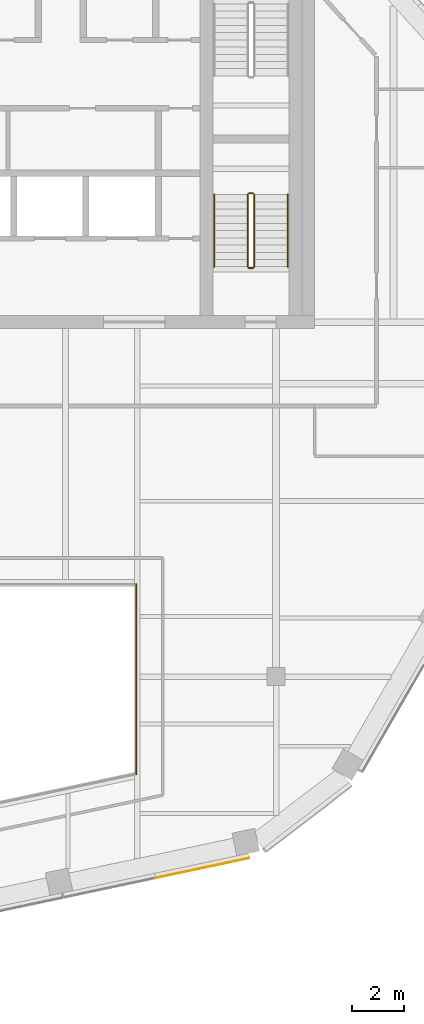
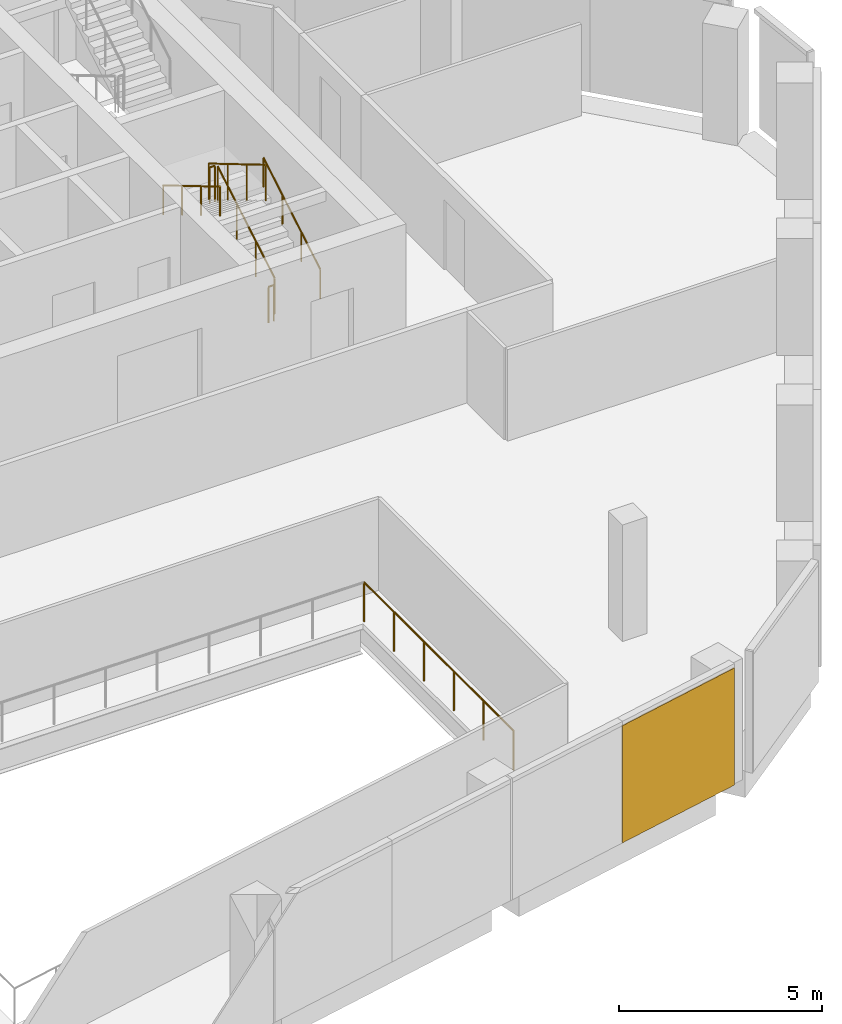
# One storey, part 13 of 15: 7 railings, 1 covering, 1 element without a shape of its own.
"""IFC4 building model written with IfcOpenShell, lengths in metres."""

from ifc_helpers import new_model, si_unit, direction, frame, origin, origin_2d, place, context, subcontext, project, spatial, rectangle, circle, extrude, material, layer, layer_set, type_object, element, aggregate, save


model = new_model("IFC4")

# Units and contexts
model_context = context("Model", 3, precision=1e-05, world=origin(), true_north=direction((0.0, 1.0)))
body_context = subcontext(model_context, "Body", "Model", "MODEL_VIEW")
ifc_project = project(units=[si_unit("LENGTHUNIT", "METRE"), si_unit("AREAUNIT", "SQUARE_METRE"), si_unit("VOLUMEUNIT", "CUBIC_METRE"), si_unit("PLANEANGLEUNIT", "RADIAN"), si_unit("MASSUNIT", "GRAM", prefix="KILO")], contexts=[model_context])

# Site, building, storey
site_placement = place(None, origin())
site = spatial("IfcSite", under=ifc_project, at=site_placement, CompositionType="ELEMENT")
building_placement = place(site_placement, origin())
building = spatial("IfcBuilding", under=site, at=building_placement, Name="Isthmus Gate Tower", CompositionType="ELEMENT")
storey_placement = place(building_placement, frame((0.0, 0.0, 268.25)))
storey = spatial("IfcBuildingStorey", under=building, at=storey_placement, Name="L68", CompositionType="ELEMENT", Elevation=268.25)

# Railing
ifc_material_1 = material(Name="Laminated toughened glass balustrade with steel rail", Category="steel")
railing_type_1 = type_object("IfcRailingType", Name="ATRIUM GUARD GLASS BALUSTRADE 1200", PredefinedType="GUARDRAIL", material=ifc_material_1)
railing_1_placement = place(storey_placement, frame((8.080078125, -9.919921875, 0.0)))
element("IfcRailing", 1, at=railing_1_placement, inside=storey, type_object=railing_type_1, Name="L68 atrium guard", PredefinedType="GUARDRAIL", context=body_context, shape_type="SweptSolid", body=[
    extrude(circle(Radius=0.02490234375, at=origin_2d()), frame((0.0, 0.0, 1.1748046875), z_axis=(0.0, -1.0, 0.0), x_axis=(1.0, 0.0, 0.0)), (0.0, 0.0, 1.0), 7.35498046875),
    extrude(circle(Radius=0.02490234375, at=origin_2d()), origin(), (0.0, 0.0, 1.0), 1.14990234375),
    extrude(circle(Radius=0.02490234375, at=origin_2d()), frame((0.0, -1.470947265625, 0.0)), (0.0, 0.0, 1.0), 1.14990234375),
    extrude(circle(Radius=0.02490234375, at=origin_2d()), frame((0.0, -2.94189453125, 0.0)), (0.0, 0.0, 1.0), 1.14990234375),
    extrude(circle(Radius=0.02490234375, at=origin_2d()), frame((0.0, -4.4130859375, 0.0)), (0.0, 0.0, 1.0), 1.14990234375),
    extrude(circle(Radius=0.02490234375, at=origin_2d()), frame((0.0, -5.884033203125, 0.0)), (0.0, 0.0, 1.0), 1.14990234375),
    extrude(circle(Radius=0.02490234375, at=origin_2d()), frame((0.0, -7.35498046875, 0.0)), (0.0, 0.0, 1.0), 1.14990234375),
])

# Curtain wall, covering
ifc_material_2 = material(Name="Aluminium, pale champagne anodised", Category="aluminium")
ifc_layer_1 = layer(ifc_material_2, 0.199951171875)
ifc_layer_set_1 = layer_set([ifc_layer_1], Name="CW-1 UNITISED CURTAIN WALL 200 DEEP")
curtain_wall_type = type_object("IfcCurtainWallType", Name="CW-1 UNITISED CURTAIN WALL 200 DEEP", PredefinedType="NOTDEFINED", material=ifc_layer_set_1)
curtain_wall_placement = place(storey_placement, origin())
curtain_wall = element("IfcCurtainWall", 2, at=curtain_wall_placement, inside=storey, type_object=curtain_wall_type, Name="CW-1 S L68", PredefinedType="NOTDEFINED")
ifc_material_3 = material(Name="Aluminium composite panel, pale champagne anodised", Category="aluminium")
ifc_layer_2 = layer(ifc_material_3, 0.031982421875)
ifc_layer_set_2 = layer_set([ifc_layer_2], Name="CW-1 PALE METAL PANEL 32")
covering_type = type_object("IfcCoveringType", Name="CW-1 PALE METAL PANEL 32", PredefinedType="CLADDING", material=ifc_layer_set_2)
covering_placement = place(storey_placement, frame((10.644775390625, -20.925537109375, 0.0), z_axis=(0.0, 0.0, 1.0), x_axis=(0.978147600734, 0.207911690818, 0.0)))
covering = element("IfcCovering", 3, at=covering_placement, type_object=covering_type, Name="CW-1 pale metal panel", PredefinedType="CLADDING", context=body_context, shape_type="SweptSolid", body=[
    extrude(rectangle(XDim=3.703369140625, YDim=0.031982421875, at=origin_2d()), origin(), (0.0, 0.0, 1.0), 3.52001953125),
])
aggregate(curtain_wall, [covering])

# Railings
ifc_material_4 = material(Name="Stainless steel balustrade", Category="steel")
railing_type_2 = type_object("IfcRailingType", Name="STAIR GUARD 1100", PredefinedType="GUARDRAIL", material=ifc_material_4)
railing_2_placement = place(storey_placement, frame((12.64990234375, 2.39990234375, 0.166015625)))
element("IfcRailing", 4, at=railing_2_placement, inside=storey, type_object=railing_type_2, Name="L68 ST8 stair guard 1", PredefinedType="GUARDRAIL", context=body_context, shape_type="SweptSolid", body=[
    extrude(circle(Radius=0.02392578125, at=origin_2d()), frame((0.0, 0.0, 1.076171875), z_axis=(0.0, 0.860339051648, 0.50972219513), x_axis=(-1.0, 0.0, 0.0)), (0.0, 0.0, 1.0), 3.254638671875),
    extrude(circle(Radius=0.02099609375, at=origin_2d()), origin(), (0.0, 0.0, 1.0), 1.052001953125),
    extrude(circle(Radius=0.02099609375, at=origin_2d()), frame((0.0, 0.933349609375, 0.552978515625)), (0.0, 0.0, 1.0), 1.052001953125),
    extrude(circle(Radius=0.02099609375, at=origin_2d()), frame((0.0, 1.86669921875, 1.10595703125)), (0.0, 0.0, 1.0), 1.052001953125),
    extrude(circle(Radius=0.02099609375, at=origin_2d()), frame((0.0, 2.800048828125, 1.658935546875)), (0.0, 0.0, 1.0), 1.052001953125),
])
railing_3_placement = place(storey_placement, frame((12.60009765625, 5.25, 1.824951171875)))
element("IfcRailing", 5, at=railing_3_placement, inside=storey, type_object=railing_type_2, Name="L68 ST8 stair guard 2", PredefinedType="GUARDRAIL", context=body_context, shape_type="SweptSolid", body=[
    extrude(circle(Radius=0.02392578125, at=origin_2d()), frame((0.0, 0.0, 1.076171875), z_axis=(-1.0, 0.0, 0.0), x_axis=(0.0, -1.0, 0.0)), (0.0, 0.0, 1.0), 0.150146484375),
    extrude(circle(Radius=0.02099609375, at=origin_2d()), origin(), (0.0, 0.0, 1.0), 1.052001953125),
    extrude(circle(Radius=0.02099609375, at=origin_2d()), frame((-0.150146484375, 0.0, 0.0)), (0.0, 0.0, 1.0), 1.052001953125),
])
railing_4_placement = place(storey_placement, frame((12.39990234375, 5.199951171875, 1.990966796875)))
element("IfcRailing", 6, at=railing_4_placement, inside=storey, type_object=railing_type_2, Name="L68 ST8 stair guard 3", PredefinedType="GUARDRAIL", context=body_context, shape_type="SweptSolid", body=[
    extrude(circle(Radius=0.02392578125, at=origin_2d()), frame((0.0, 0.0, 1.076171875), z_axis=(0.0, -0.860339051648, 0.50972219513), x_axis=(1.0, 0.0, 0.0)), (0.0, 0.0, 1.0), 3.254638671875),
    extrude(circle(Radius=0.02099609375, at=origin_2d()), origin(), (0.0, 0.0, 1.0), 1.052001953125),
    extrude(circle(Radius=0.02099609375, at=origin_2d()), frame((0.0, -0.933349609375, 0.552978515625)), (0.0, 0.0, 1.0), 1.052001953125),
    extrude(circle(Radius=0.02099609375, at=origin_2d()), frame((0.0, -1.86669921875, 1.10595703125)), (0.0, 0.0, 1.0), 1.052001953125),
    extrude(circle(Radius=0.02099609375, at=origin_2d()), frame((0.0, -2.800048828125, 1.658935546875)), (0.0, 0.0, 1.0), 1.052001953125),
])
railing_5_placement = place(storey_placement, frame((12.60009765625, 2.35009765625, 0.0)))
element("IfcRailing", 7, at=railing_5_placement, inside=storey, type_object=railing_type_2, Name="L68 ST8 stair guard 4", PredefinedType="GUARDRAIL", context=body_context, shape_type="SweptSolid", body=[
    extrude(circle(Radius=0.02392578125, at=origin_2d()), frame((0.0, 0.0, 1.076171875), z_axis=(-1.0, 0.0, 0.0), x_axis=(0.0, -1.0, 0.0)), (0.0, 0.0, 1.0), 0.150146484375),
    extrude(circle(Radius=0.02099609375, at=origin_2d()), origin(), (0.0, 0.0, 1.0), 1.052001953125),
    extrude(circle(Radius=0.02099609375, at=origin_2d()), frame((-0.150146484375, 0.0, 0.0)), (0.0, 0.0, 1.0), 1.052001953125),
])
ifc_material_5 = material(Name="Stainless steel handrail", Category="steel")
railing_type_3 = type_object("IfcRailingType", Name="STAIR HANDRAIL 900", PredefinedType="HANDRAIL", material=ifc_material_5)
railing_6_placement = place(storey_placement, frame((13.949951171875, 2.39990234375, 0.166015625)))
element("IfcRailing", 8, at=railing_6_placement, inside=storey, type_object=railing_type_3, Name="L68 ST8 stair handrail 1", PredefinedType="HANDRAIL", context=body_context, shape_type="SweptSolid", body=[
    extrude(circle(Radius=0.02392578125, at=origin_2d()), frame((0.0, 0.0, 0.8759765625), z_axis=(0.0, 0.860339051648, 0.50972219513), x_axis=(-1.0, 0.0, 0.0)), (0.0, 0.0, 1.0), 3.254638671875),
    extrude(circle(Radius=0.02099609375, at=origin_2d()), origin(), (0.0, 0.0, 1.0), 0.851806640625),
    extrude(circle(Radius=0.02099609375, at=origin_2d()), frame((0.0, 0.933349609375, 0.552978515625)), (0.0, 0.0, 1.0), 0.851806640625),
    extrude(circle(Radius=0.02099609375, at=origin_2d()), frame((0.0, 1.86669921875, 1.10595703125)), (0.0, 0.0, 1.0), 0.851806640625),
    extrude(circle(Radius=0.02099609375, at=origin_2d()), frame((0.0, 2.800048828125, 1.658935546875)), (0.0, 0.0, 1.0), 0.851806640625),
])
railing_7_placement = place(storey_placement, frame((11.10009765625, 5.199951171875, 1.990966796875)))
element("IfcRailing", 9, at=railing_7_placement, inside=storey, type_object=railing_type_3, Name="L68 ST8 stair handrail 2", PredefinedType="HANDRAIL", context=body_context, shape_type="SweptSolid", body=[
    extrude(circle(Radius=0.02392578125, at=origin_2d()), frame((0.0, 0.0, 0.8759765625), z_axis=(0.0, -0.860339051648, 0.50972219513), x_axis=(1.0, 0.0, 0.0)), (0.0, 0.0, 1.0), 3.254638671875),
    extrude(circle(Radius=0.02099609375, at=origin_2d()), origin(), (0.0, 0.0, 1.0), 0.851806640625),
    extrude(circle(Radius=0.02099609375, at=origin_2d()), frame((0.0, -0.933349609375, 0.552978515625)), (0.0, 0.0, 1.0), 0.851806640625),
    extrude(circle(Radius=0.02099609375, at=origin_2d()), frame((0.0, -1.86669921875, 1.10595703125)), (0.0, 0.0, 1.0), 0.851806640625),
    extrude(circle(Radius=0.02099609375, at=origin_2d()), frame((0.0, -2.800048828125, 1.658935546875)), (0.0, 0.0, 1.0), 0.851806640625),
])

save(model, "model.ifc")
